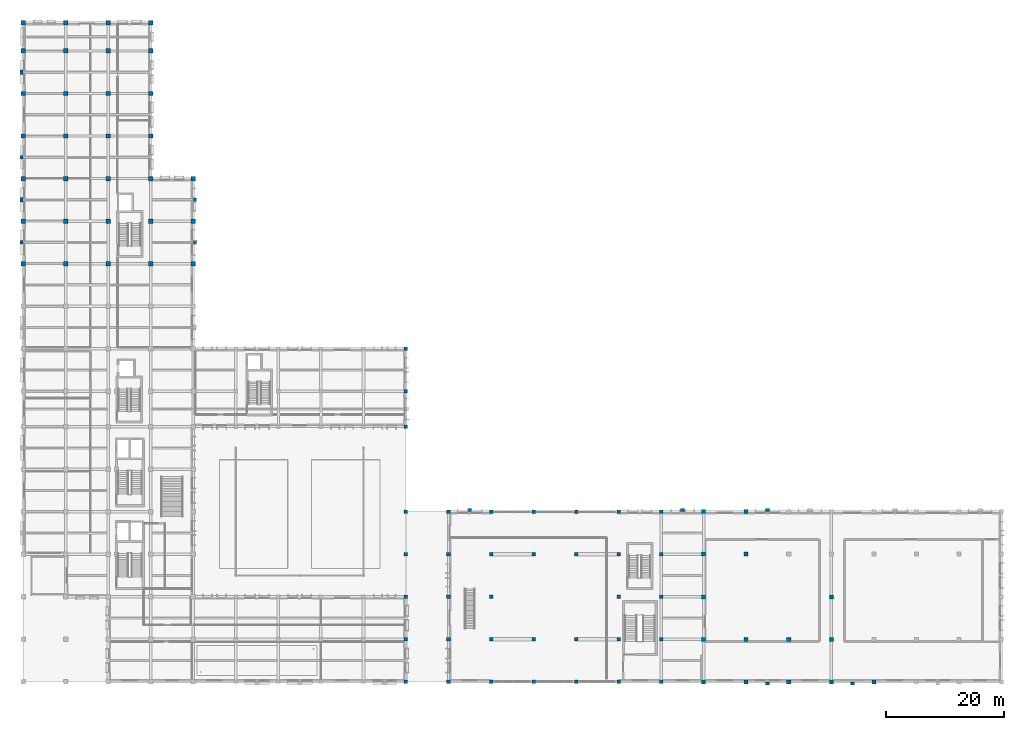
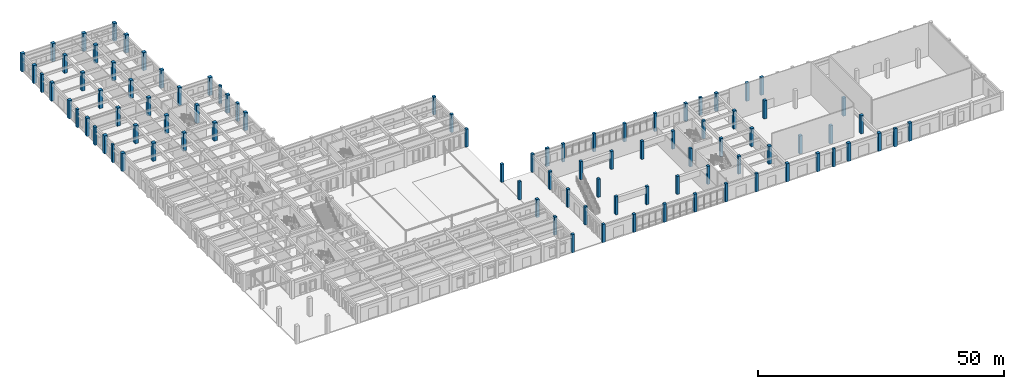
# One storey, part 7 of 43: 93 columns.
"""IFC4 building model written with IfcOpenShell, lengths in metres."""

from ifc_helpers import new_model, si_unit, direction, frame, origin, origin_2d, place, context, subcontext, project, spatial, rectangle, extrude, material, material_profile, profile_set, type_object, element, save


model = new_model("IFC4")

# Units and contexts
model_context = context("Model", 3, precision=1e-05, world=origin(), true_north=direction((0.0, 1.0)))
body_context = subcontext(model_context, "Body", "Model", "MODEL_VIEW")
ifc_project = project(units=[si_unit("LENGTHUNIT", "METRE"), si_unit("AREAUNIT", "SQUARE_METRE"), si_unit("VOLUMEUNIT", "CUBIC_METRE"), si_unit("PLANEANGLEUNIT", "RADIAN"), si_unit("MASSUNIT", "GRAM", prefix="KILO")], contexts=[model_context])

# Site, building, storey
site_placement = place(None, origin())
site = spatial("IfcSite", under=ifc_project, at=site_placement, CompositionType="ELEMENT")
building_placement = place(site_placement, origin())
building = spatial("IfcBuilding", under=site, at=building_placement, Name="Alvorim Cloister Faculty of Sciences", CompositionType="ELEMENT")
storey_placement = place(building_placement, origin())
storey = spatial("IfcBuildingStorey", under=building, at=storey_placement, Name="L00", CompositionType="ELEMENT", Elevation=0.0)

# Columns
ifc_material_1 = material(Name="Concrete C40", Category="concrete")
ifc_material_profile_1 = material_profile(ifc_material_1, rectangle(XDim=0.60009765625, YDim=0.60009765625, at=origin_2d()), Name="RC40-COL-600x600")
ifc_profile_set_1 = profile_set([ifc_material_profile_1], Name="Concrete C40")
column_type_1 = type_object("IfcColumnType", Name="COL-RC-600", PredefinedType="COLUMN", material=ifc_profile_set_1)
for number, where, z_axis, x_axis, name in (
    (1, (64.800048828125, 0.0, 0.0), (0.0, 0.0, 1.0), (1.0, 0.0, 0.0), "L00 Column COL-0308"),
    (2, (64.800048828125, 7.199951171875, 0.0), (0.0, 0.0, 1.0), (1.0, 0.0, 0.0), "L00 Column COL-0309"),
    (3, (64.800048828125, 14.39990234375, 0.0), (0.0, 0.0, 1.0), (1.0, 0.0, 0.0), "L00 Column COL-0310"),
    (4, (64.800048828125, 21.60009765625, 0.0), (0.0, 0.0, 1.0), (1.0, 0.0, 0.0), "L00 Column COL-0311"),
    (5, (64.800048828125, 28.800048828125, 0.0), (0.0, 0.0, 1.0), (1.0, 0.0, 0.0), "L00 Column COL-0312"),
    (6, (64.800048828125, 43.199951171875, 0.0), (0.0, 0.0, 1.0), (1.0, 0.0, 0.0), "L00 Column COL-0313"),
    (7, (64.800048828125, 49.199951171875, 0.0), (0.0, 0.0, 1.0), (1.0, 0.0, 0.0), "L00 Column COL-0314"),
    (8, (64.800048828125, 56.39990234375, 0.0), (0.0, 0.0, 1.0), (1.0, 0.0, 0.0), "L00 Column COL-0315"),
    (9, (72.0, 0.0, 0.0), (0.0, 0.0, 1.0), (1.0, 0.0, 0.0), "L00 Column COL-0316"),
    (10, (72.0, 7.199951171875, 0.0), (0.0, 0.0, 1.0), (1.0, 0.0, 0.0), "L00 Column COL-0317"),
    (11, (72.0, 14.39990234375, 0.0), (0.0, 0.0, 1.0), (1.0, 0.0, 0.0), "L00 Column COL-0318"),
    (12, (72.0, 21.60009765625, 0.0), (0.0, 0.0, 1.0), (1.0, 0.0, 0.0), "L00 Column COL-0319"),
    (13, (72.0, 28.800048828125, 0.0), (0.0, 0.0, 1.0), (1.0, 0.0, 0.0), "L00 Column COL-0320"),
    (14, (79.199951171875, 0.0, 0.0), (0.0, 0.0, 1.0), (1.0, 0.0, 0.0), "L00 Column COL-0321"),
    (15, (79.199951171875, 7.199951171875, 0.0), (0.0, 0.0, 1.0), (1.0, 0.0, 0.0), "L00 Column COL-0322"),
    (16, (79.199951171875, 14.39990234375, 0.0), (0.0, 0.0, 1.0), (1.0, 0.0, 0.0), "L00 Column COL-0323"),
    (17, (79.199951171875, 21.60009765625, 0.0), (0.0, 0.0, 1.0), (1.0, 0.0, 0.0), "L00 Column COL-0324"),
    (18, (79.199951171875, 28.800048828125, 0.0), (0.0, 0.0, 1.0), (1.0, 0.0, 0.0), "L00 Column COL-0325"),
    (19, (86.39990234375, 0.0, 0.0), (0.0, 0.0, 1.0), (1.0, 0.0, 0.0), "L00 Column COL-0326"),
    (20, (86.39990234375, 7.199951171875, 0.0), (0.0, 0.0, 1.0), (1.0, 0.0, 0.0), "L00 Column COL-0327"),
    (21, (86.39990234375, 21.60009765625, 0.0), (0.0, 0.0, 1.0), (1.0, 0.0, 0.0), "L00 Column COL-0328"),
    (22, (86.39990234375, 28.800048828125, 0.0), (0.0, 0.0, 1.0), (1.0, 0.0, 0.0), "L00 Column COL-0329"),
    (23, (93.60009765625, 0.0, 0.0), (0.0, 0.0, 1.0), (1.0, 0.0, 0.0), "L00 Column COL-0330"),
    (24, (93.60009765625, 7.199951171875, 0.0), (0.0, 0.0, 1.0), (1.0, 0.0, 0.0), "L00 Column COL-0331"),
    (25, (93.60009765625, 21.60009765625, 0.0), (0.0, 0.0, 1.0), (1.0, 0.0, 0.0), "L00 Column COL-0332"),
    (26, (93.60009765625, 28.800048828125, 0.0), (0.0, 0.0, 1.0), (1.0, 0.0, 0.0), "L00 Column COL-0333"),
    (27, (100.800048828125, 0.0, 0.0), (0.0, 0.0, 1.0), (1.0, 0.0, 0.0), "L00 Column COL-0334"),
    (28, (100.800048828125, 7.199951171875, 0.0), (0.0, 0.0, 1.0), (1.0, 0.0, 0.0), "L00 Column COL-0335"),
    (29, (100.800048828125, 14.39990234375, 0.0), (0.0, 0.0, 1.0), (1.0, 0.0, 0.0), "L00 Column COL-0336"),
    (30, (100.800048828125, 21.60009765625, 0.0), (0.0, 0.0, 1.0), (1.0, 0.0, 0.0), "L00 Column COL-0337"),
    (31, (100.800048828125, 28.800048828125, 0.0), (0.0, 0.0, 1.0), (1.0, 0.0, 0.0), "L00 Column COL-0338"),
    (32, (108.0, 0.0, 0.0), (0.0, 0.0, 1.0), (1.0, 0.0, 0.0), "L00 Column COL-0339"),
    (33, (108.0, 7.199951171875, 0.0), (0.0, 0.0, 1.0), (1.0, 0.0, 0.0), "L00 Column COL-0340"),
    (34, (108.0, 14.39990234375, 0.0), (0.0, 0.0, 1.0), (1.0, 0.0, 0.0), "L00 Column COL-0341"),
    (35, (108.0, 21.60009765625, 0.0), (0.0, 0.0, 1.0), (1.0, 0.0, 0.0), "L00 Column COL-0342"),
    (36, (108.0, 28.800048828125, 0.0), (0.0, 0.0, 1.0), (1.0, 0.0, 0.0), "L00 Column COL-0343"),
):
    element("IfcColumn", number, at=place(storey_placement, frame(where, z_axis=z_axis, x_axis=x_axis)), inside=storey, type_object=column_type_1, Name=name, PredefinedType="COLUMN", context=body_context, shape_type="SweptSolid", body=[
        extrude(rectangle(XDim=0.60009765625, YDim=0.60009765625, at=origin_2d()), origin(), (0.0, 0.0, 1.0), 4.5),
    ])
ifc_material_profile_2 = material_profile(ifc_material_1, rectangle(XDim=0.679931640625, YDim=0.679931640625, at=origin_2d()), Name="RC40-COL-680x680")
ifc_profile_set_2 = profile_set([ifc_material_profile_2], Name="Concrete C40")
column_type_2 = type_object("IfcColumnType", Name="COL-RC-680", PredefinedType="COLUMN", material=ifc_profile_set_2)
for number, where, z_axis, x_axis, name in (
    (37, (115.199951171875, 0.0, 0.0), (0.0, 0.0, 1.0), (1.0, 0.0, 0.0), "L00 Column COL-0344"),
    (38, (115.199951171875, 7.199951171875, 0.0), (0.0, 0.0, 1.0), (1.0, 0.0, 0.0), "L00 Column COL-0345"),
    (39, (115.199951171875, 14.39990234375, 0.0), (0.0, 0.0, 1.0), (1.0, 0.0, 0.0), "L00 Column COL-0346"),
    (40, (115.199951171875, 21.60009765625, 0.0), (0.0, 0.0, 1.0), (1.0, 0.0, 0.0), "L00 Column COL-0347"),
    (41, (115.199951171875, 28.800048828125, 0.0), (0.0, 0.0, 1.0), (1.0, 0.0, 0.0), "L00 Column COL-0348"),
    (42, (122.39990234375, 0.0, 0.0), (0.0, 0.0, 1.0), (1.0, 0.0, 0.0), "L00 Column COL-0349"),
    (43, (122.39990234375, 7.199951171875, 0.0), (0.0, 0.0, 1.0), (1.0, 0.0, 0.0), "L00 Column COL-0350"),
    (44, (122.39990234375, 21.60009765625, 0.0), (0.0, 0.0, 1.0), (1.0, 0.0, 0.0), "L00 Column COL-0351"),
    (45, (122.39990234375, 28.800048828125, 0.0), (0.0, 0.0, 1.0), (1.0, 0.0, 0.0), "L00 Column COL-0352"),
    (46, (129.60009765625, 0.0, 0.0), (0.0, 0.0, 1.0), (1.0, 0.0, 0.0), "L00 Column COL-0353"),
    (47, (129.60009765625, 7.199951171875, 0.0), (0.0, 0.0, 1.0), (1.0, 0.0, 0.0), "L00 Column COL-0354"),
    (48, (136.800048828125, 0.0, 0.0), (0.0, 0.0, 1.0), (1.0, 0.0, 0.0), "L00 Column COL-0357"),
    (49, (136.800048828125, 7.199951171875, 0.0), (0.0, 0.0, 1.0), (1.0, 0.0, 0.0), "L00 Column COL-0358"),
    (50, (136.800048828125, 14.39990234375, 0.0), (0.0, 0.0, 1.0), (1.0, 0.0, 0.0), "L00 Column COL-0359"),
    (51, (144.0, 0.0, 0.0), (0.0, 0.0, 1.0), (1.0, 0.0, 0.0), "L00 Column COL-0362"),
):
    element("IfcColumn", number, at=place(storey_placement, frame(where, z_axis=z_axis, x_axis=x_axis)), inside=storey, type_object=column_type_2, Name=name, PredefinedType="COLUMN", context=body_context, shape_type="SweptSolid", body=[
        extrude(rectangle(XDim=0.679931640625, YDim=0.679931640625, at=origin_2d()), origin(), (0.0, 0.0, 1.0), 4.5),
    ])
ifc_material_profile_3 = material_profile(ifc_material_1, rectangle(XDim=0.75, YDim=0.75, at=origin_2d()), Name="RC40-COL-750x750")
ifc_profile_set_3 = profile_set([ifc_material_profile_3], Name="Concrete C40")
column_type_3 = type_object("IfcColumnType", Name="COL-RC-750", PredefinedType="COLUMN", material=ifc_profile_set_3)
for number, where, z_axis, x_axis, name in (
    (52, (0.0, 70.800048828125, 0.0), (0.0, 0.0, 1.0), (1.0, 0.0, 0.0), "L00 Column COL-0210"),
    (53, (0.0, 78.0, 0.0), (0.0, 0.0, 1.0), (1.0, 0.0, 0.0), "L00 Column COL-0211"),
    (54, (0.0, 85.199951171875, 0.0), (0.0, 0.0, 1.0), (1.0, 0.0, 0.0), "L00 Column COL-0212"),
    (55, (0.0, 92.39990234375, 0.0), (0.0, 0.0, 1.0), (1.0, 0.0, 0.0), "L00 Column COL-0213"),
    (56, (0.0, 99.60009765625, 0.0), (0.0, 0.0, 1.0), (1.0, 0.0, 0.0), "L00 Column COL-0214"),
    (57, (0.0, 106.800048828125, 0.0), (0.0, 0.0, 1.0), (1.0, 0.0, 0.0), "L00 Column COL-0215"),
    (58, (0.0, 111.60009765625, 0.0), (0.0, 0.0, 1.0), (1.0, 0.0, 0.0), "L00 Column COL-0216"),
    (59, (7.199951171875, 70.800048828125, 0.0), (0.0, 0.0, 1.0), (1.0, 0.0, 0.0), "L00 Column COL-0227"),
    (60, (7.199951171875, 78.0, 0.0), (0.0, 0.0, 1.0), (1.0, 0.0, 0.0), "L00 Column COL-0228"),
    (61, (7.199951171875, 85.199951171875, 0.0), (0.0, 0.0, 1.0), (1.0, 0.0, 0.0), "L00 Column COL-0229"),
    (62, (7.199951171875, 92.39990234375, 0.0), (0.0, 0.0, 1.0), (1.0, 0.0, 0.0), "L00 Column COL-0230"),
    (63, (7.199951171875, 99.60009765625, 0.0), (0.0, 0.0, 1.0), (1.0, 0.0, 0.0), "L00 Column COL-0231"),
    (64, (7.199951171875, 106.800048828125, 0.0), (0.0, 0.0, 1.0), (1.0, 0.0, 0.0), "L00 Column COL-0232"),
    (65, (7.199951171875, 111.60009765625, 0.0), (0.0, 0.0, 1.0), (1.0, 0.0, 0.0), "L00 Column COL-0233"),
    (66, (14.39990234375, 70.800048828125, 0.0), (0.0, 0.0, 1.0), (1.0, 0.0, 0.0), "L00 Column COL-0244"),
    (67, (14.39990234375, 78.0, 0.0), (0.0, 0.0, 1.0), (1.0, 0.0, 0.0), "L00 Column COL-0245"),
    (68, (14.39990234375, 85.199951171875, 0.0), (0.0, 0.0, 1.0), (1.0, 0.0, 0.0), "L00 Column COL-0246"),
    (69, (14.39990234375, 92.39990234375, 0.0), (0.0, 0.0, 1.0), (1.0, 0.0, 0.0), "L00 Column COL-0247"),
    (70, (14.39990234375, 99.60009765625, 0.0), (0.0, 0.0, 1.0), (1.0, 0.0, 0.0), "L00 Column COL-0248"),
    (71, (14.39990234375, 106.800048828125, 0.0), (0.0, 0.0, 1.0), (1.0, 0.0, 0.0), "L00 Column COL-0249"),
    (72, (14.39990234375, 111.60009765625, 0.0), (0.0, 0.0, 1.0), (1.0, 0.0, 0.0), "L00 Column COL-0250"),
    (73, (21.60009765625, 70.800048828125, 0.0), (0.0, 0.0, 1.0), (1.0, 0.0, 0.0), "L00 Column COL-0264"),
    (74, (21.60009765625, 78.0, 0.0), (0.0, 0.0, 1.0), (1.0, 0.0, 0.0), "L00 Column COL-0265"),
    (75, (21.60009765625, 85.199951171875, 0.0), (0.0, 0.0, 1.0), (1.0, 0.0, 0.0), "L00 Column COL-0266"),
    (76, (21.60009765625, 92.39990234375, 0.0), (0.0, 0.0, 1.0), (1.0, 0.0, 0.0), "L00 Column COL-0267"),
    (77, (21.60009765625, 99.60009765625, 0.0), (0.0, 0.0, 1.0), (1.0, 0.0, 0.0), "L00 Column COL-0268"),
    (78, (21.60009765625, 106.800048828125, 0.0), (0.0, 0.0, 1.0), (1.0, 0.0, 0.0), "L00 Column COL-0269"),
    (79, (21.60009765625, 111.60009765625, 0.0), (0.0, 0.0, 1.0), (1.0, 0.0, 0.0), "L00 Column COL-0270"),
    (80, (28.800048828125, 70.800048828125, 0.0), (0.0, 0.0, 1.0), (1.0, 0.0, 0.0), "L00 Column COL-0281"),
    (81, (28.800048828125, 78.0, 0.0), (0.0, 0.0, 1.0), (1.0, 0.0, 0.0), "L00 Column COL-0282"),
    (82, (28.800048828125, 85.199951171875, 0.0), (0.0, 0.0, 1.0), (1.0, 0.0, 0.0), "L00 Column COL-0283"),
):
    element("IfcColumn", number, at=place(storey_placement, frame(where, z_axis=z_axis, x_axis=x_axis)), inside=storey, type_object=column_type_3, Name=name, PredefinedType="COLUMN", context=body_context, shape_type="SweptSolid", body=[
        extrude(rectangle(XDim=0.75, YDim=0.75, at=origin_2d()), origin(), (0.0, 0.0, 1.0), 4.5),
    ])
ifc_material_2 = material(Name="Maua Grey Granite Stone", Category="masonry")
ifc_material_profile_4 = material_profile(ifc_material_2, rectangle(XDim=0.4599609375, YDim=0.6201171875, at=origin_2d()), Name="GRN-PIER-460x620")
ifc_profile_set_4 = profile_set([ifc_material_profile_4], Name="Maua Grey Granite Stone")
column_type_4 = type_object("IfcColumnType", Name="PIL-GRN-460x620", PredefinedType="PILASTER", material=ifc_profile_set_4)
for number, where, z_axis, x_axis, name in (
    (83, (-0.280029296875, 74.39990234375, 0.0), (0.0, 0.0, 1.0), (1.0, 0.0, 0.0), "L00 Gothic Buttress Pier COL-1137"),
    (84, (-0.280029296875, 88.800048828125, 0.0), (0.0, 0.0, 1.0), (1.0, 0.0, 0.0), "L00 Gothic Buttress Pier COL-1149"),
    (85, (29.080078125, 81.60009765625, 0.0), (0.0, 0.0, 1.0), (1.0, 0.0, 0.0), "L00 Gothic Buttress Pier COL-1169"),
    (86, (126.0, -0.280029296875, 0.0), (0.0, 0.0, 1.0), (0.0, 1.0, 0.0), "L00 Gothic Buttress Pier COL-1185"),
    (87, (111.60009765625, 29.080078125, 0.0), (0.0, 0.0, 1.0), (0.0, 1.0, 0.0), "L00 Gothic Buttress Pier COL-1200"),
):
    element("IfcColumn", number, at=place(storey_placement, frame(where, z_axis=z_axis, x_axis=x_axis)), inside=storey, type_object=column_type_4, Name=name, PredefinedType="PILASTER", context=body_context, shape_type="SweptSolid", body=[
        extrude(rectangle(XDim=0.4599609375, YDim=0.6201171875, at=origin_2d()), origin(), (0.0, 0.0, 1.0), 4.5),
    ])
ifc_material_profile_5 = material_profile(ifc_material_2, rectangle(XDim=0.52001953125, YDim=0.719970703125, at=origin_2d()), Name="GRN-PIER-520x720")
ifc_profile_set_5 = profile_set([ifc_material_profile_5], Name="Maua Grey Granite Stone")
column_type_5 = type_object("IfcColumnType", Name="PIL-GRN-520x720", PredefinedType="PILASTER", material=ifc_profile_set_5)
for number, where, z_axis, x_axis, name in (
    (88, (-0.280029296875, 81.60009765625, 0.0), (0.0, 0.0, 1.0), (1.0, 0.0, 0.0), "L00 Gothic Buttress Pier COL-1143"),
    (89, (-0.280029296875, 103.199951171875, 0.0), (0.0, 0.0, 1.0), (1.0, 0.0, 0.0), "L00 Gothic Buttress Pier COL-1155"),
    (90, (29.080078125, 74.39990234375, 0.0), (0.0, 0.0, 1.0), (1.0, 0.0, 0.0), "L00 Gothic Buttress Pier COL-1165"),
    (91, (140.39990234375, -0.280029296875, 0.0), (0.0, 0.0, 1.0), (0.0, 1.0, 0.0), "L00 Gothic Buttress Pier COL-1188"),
    (92, (75.60009765625, 29.080078125, 0.0), (0.0, 0.0, 1.0), (0.0, 1.0, 0.0), "L00 Gothic Buttress Pier COL-1194"),
    (93, (126.0, 29.080078125, 0.0), (0.0, 0.0, 1.0), (0.0, 1.0, 0.0), "L00 Gothic Buttress Pier COL-1206"),
):
    element("IfcColumn", number, at=place(storey_placement, frame(where, z_axis=z_axis, x_axis=x_axis)), inside=storey, type_object=column_type_5, Name=name, PredefinedType="PILASTER", context=body_context, shape_type="SweptSolid", body=[
        extrude(rectangle(XDim=0.52001953125, YDim=0.719970703125, at=origin_2d()), origin(), (0.0, 0.0, 1.0), 4.5),
    ])

save(model, "model.ifc")
